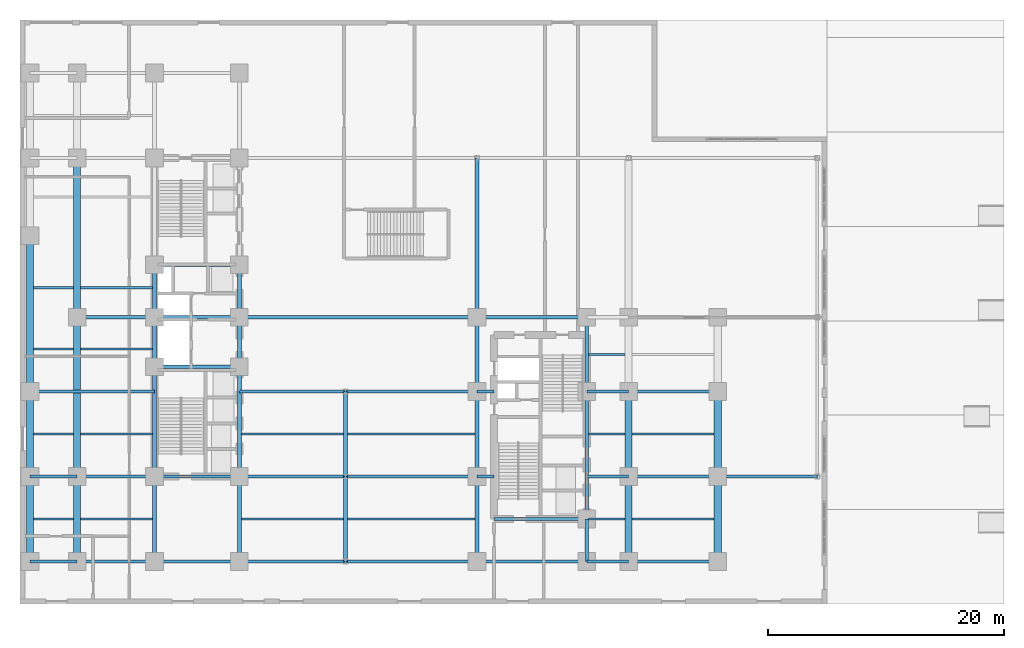
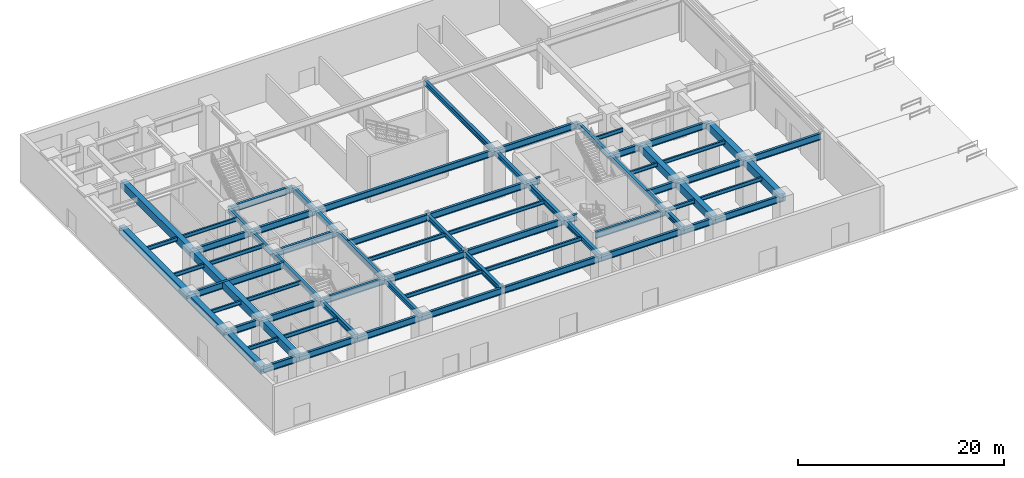
# One storey, part 3 of 18: 74 beams.
"""IFC4 building model written with IfcOpenShell, lengths in metres."""

from ifc_helpers import new_model, entity, si_unit, converted_unit, direction, frame, origin_with_axes, origin_2d_with_axis, place, context, subcontext, project, spatial, rectangle, i_section, extrude, material, material_profile, profile_set, type_object, element, save


model = new_model("IFC4")

# Units and contexts
model_context = context("Model", 3, precision=1e-05, world=origin_with_axes(), true_north=direction((0.0, 1.0)))
body_context = subcontext(model_context, "Body", "Model", "MODEL_VIEW")
ifc_project = project(units=[si_unit("LENGTHUNIT", "METRE"), si_unit("AREAUNIT", "SQUARE_METRE"), si_unit("VOLUMEUNIT", "CUBIC_METRE"), converted_unit("PLANEANGLEUNIT", "DEGREE", entity("IfcPlaneAngleMeasure", 0.017453292519943295), si_unit("PLANEANGLEUNIT", "RADIAN"), dimensions=[0, 0, 0, 0, 0, 0, 0]), si_unit("MASSUNIT", "GRAM", prefix="KILO"), si_unit("THERMODYNAMICTEMPERATUREUNIT", "KELVIN")], contexts=[model_context])

# Site, building, storey
site_placement = place(None, origin_with_axes())
site = spatial("IfcSite", under=ifc_project, at=site_placement, CompositionType="ELEMENT")
building_placement = place(site_placement, origin_with_axes())
building = spatial("IfcBuilding", under=site, at=building_placement, Name="Varnlund Millrace Tower", CompositionType="ELEMENT")
storey_placement = place(building_placement, origin_with_axes())
storey = spatial("IfcBuildingStorey", under=building, at=storey_placement, Name="L00", CompositionType="ELEMENT", Elevation=0.0)

# Beams
ifc_material_1 = material(Name="Steel ASTM A992 Grade 50", Category="steel")
ifc_material_profile_1 = material_profile(ifc_material_1, i_section(OverallWidth=0.328, OverallDepth=0.628, WebThickness=0.0165, FlangeThickness=0.0277, FilletRadius=0.018, at=origin_2d_with_axis()), Name="Steel ASTM A992 Grade 50")
ifc_profile_set_1 = profile_set([ifc_material_profile_1], Name="Steel ASTM A992 Grade 50")
beam_type_1 = type_object("IfcBeamType", Name="Type-Girder-W24X146", PredefinedType="USERDEFINED", material=ifc_profile_set_1)
beam_1_placement = place(storey_placement, frame((11.4, 3.6, 5.146), z_axis=(0.0, 1.0, 0.0), x_axis=(-1.0, 0.0, 0.0)))
element("IfcBeam", 1, at=beam_1_placement, inside=storey, type_object=beam_type_1, Name="Type-Girder-W24X146", ObjectType="GIRDER", PredefinedType="USERDEFINED", context=body_context, shape_type="SweptSolid", body=[
    extrude(i_section(OverallWidth=0.328, OverallDepth=0.628, WebThickness=0.0165, FlangeThickness=0.0277, FilletRadius=0.018, at=origin_2d_with_axis()), origin_with_axes(), (0.0, 0.0, 1.0), 7.2),
])
beam_2_placement = place(storey_placement, frame((11.4, 10.8, 5.146), z_axis=(0.0, 1.0, 0.0), x_axis=(-1.0, 0.0, 0.0)))
element("IfcBeam", 2, at=beam_2_placement, inside=storey, type_object=beam_type_1, Name="Type-Girder-W24X146", ObjectType="GIRDER", PredefinedType="USERDEFINED", context=body_context, shape_type="SweptSolid", body=[
    extrude(i_section(OverallWidth=0.328, OverallDepth=0.628, WebThickness=0.0165, FlangeThickness=0.0277, FilletRadius=0.018, at=origin_2d_with_axis()), origin_with_axes(), (0.0, 0.0, 1.0), 9.3),
])
beam_3_placement = place(storey_placement, frame((11.4, 20.1, 5.146), z_axis=(0.0, 1.0, 0.0), x_axis=(-1.0, 0.0, 0.0)))
element("IfcBeam", 3, at=beam_3_placement, inside=storey, type_object=beam_type_1, Name="Type-Girder-W24X146", ObjectType="GIRDER", PredefinedType="USERDEFINED", context=body_context, shape_type="SweptSolid", body=[
    extrude(i_section(OverallWidth=0.328, OverallDepth=0.628, WebThickness=0.0165, FlangeThickness=0.0277, FilletRadius=0.018, at=origin_2d_with_axis()), origin_with_axes(), (0.0, 0.0, 1.0), 4.2),
])
beam_4_placement = place(storey_placement, frame((11.4, 24.3, 5.146), z_axis=(0.0, 1.0, 0.0), x_axis=(-1.0, 0.0, 0.0)))
element("IfcBeam", 4, at=beam_4_placement, inside=storey, type_object=beam_type_1, Name="Type-Girder-W24X146", ObjectType="GIRDER", PredefinedType="USERDEFINED", context=body_context, shape_type="SweptSolid", body=[
    extrude(i_section(OverallWidth=0.328, OverallDepth=0.628, WebThickness=0.0165, FlangeThickness=0.0277, FilletRadius=0.018, at=origin_2d_with_axis()), origin_with_axes(), (0.0, 0.0, 1.0), 4.45),
])
beam_5_placement = place(storey_placement, frame((18.6, 3.6, 5.146), z_axis=(0.0, 1.0, 0.0), x_axis=(-1.0, 0.0, 0.0)))
element("IfcBeam", 5, at=beam_5_placement, inside=storey, type_object=beam_type_1, Name="Type-Girder-W24X146", ObjectType="GIRDER", PredefinedType="USERDEFINED", context=body_context, shape_type="SweptSolid", body=[
    extrude(i_section(OverallWidth=0.328, OverallDepth=0.628, WebThickness=0.0165, FlangeThickness=0.0277, FilletRadius=0.018, at=origin_2d_with_axis()), origin_with_axes(), (0.0, 0.0, 1.0), 7.2),
])
beam_6_placement = place(storey_placement, frame((18.6, 10.8, 5.146), z_axis=(0.0, 1.0, 0.0), x_axis=(-1.0, 0.0, 0.0)))
element("IfcBeam", 6, at=beam_6_placement, inside=storey, type_object=beam_type_1, Name="Type-Girder-W24X146", ObjectType="GIRDER", PredefinedType="USERDEFINED", context=body_context, shape_type="SweptSolid", body=[
    extrude(i_section(OverallWidth=0.328, OverallDepth=0.628, WebThickness=0.0165, FlangeThickness=0.0277, FilletRadius=0.018, at=origin_2d_with_axis()), origin_with_axes(), (0.0, 0.0, 1.0), 9.3),
])
beam_7_placement = place(storey_placement, frame((18.6, 20.1, 5.146), z_axis=(0.0, 1.0, 0.0), x_axis=(-1.0, 0.0, 0.0)))
element("IfcBeam", 7, at=beam_7_placement, inside=storey, type_object=beam_type_1, Name="Type-Girder-W24X146", ObjectType="GIRDER", PredefinedType="USERDEFINED", context=body_context, shape_type="SweptSolid", body=[
    extrude(i_section(OverallWidth=0.328, OverallDepth=0.628, WebThickness=0.0165, FlangeThickness=0.0277, FilletRadius=0.018, at=origin_2d_with_axis()), origin_with_axes(), (0.0, 0.0, 1.0), 4.2),
])
beam_8_placement = place(storey_placement, frame((18.6, 24.3, 5.146), z_axis=(0.0, 1.0, 0.0), x_axis=(-1.0, 0.0, 0.0)))
element("IfcBeam", 8, at=beam_8_placement, inside=storey, type_object=beam_type_1, Name="Type-Girder-W24X146", ObjectType="GIRDER", PredefinedType="USERDEFINED", context=body_context, shape_type="SweptSolid", body=[
    extrude(i_section(OverallWidth=0.328, OverallDepth=0.628, WebThickness=0.0165, FlangeThickness=0.0277, FilletRadius=0.018, at=origin_2d_with_axis()), origin_with_axes(), (0.0, 0.0, 1.0), 4.45),
])
for number, where, z_axis, x_axis, name in (
    (9, (27.6, 3.6, 5.146), (0.0, 1.0, 0.0), (-1.0, 0.0, 0.0), "Type-Girder-W24X146"),
    (10, (27.6, 10.8, 5.146), (0.0, 1.0, 0.0), (-1.0, 0.0, 0.0), "Type-Girder-W24X146"),
    (11, (38.75, 3.6, 5.146), (0.0, 1.0, 0.0), (-1.0, 0.0, 0.0), "Type-Girder-W24X146"),
    (12, (38.75, 10.8, 5.146), (0.0, 1.0, 0.0), (-1.0, 0.0, 0.0), "Type-Girder-W24X146"),
):
    element("IfcBeam", number, at=place(storey_placement, frame(where, z_axis=z_axis, x_axis=x_axis)), inside=storey, type_object=beam_type_1, Name=name, ObjectType="GIRDER", PredefinedType="USERDEFINED", context=body_context, shape_type="SweptSolid", body=[
        extrude(i_section(OverallWidth=0.328, OverallDepth=0.628, WebThickness=0.0165, FlangeThickness=0.0277, FilletRadius=0.018, at=origin_2d_with_axis()), origin_with_axes(), (0.0, 0.0, 1.0), 7.2),
    ])
beam_9_placement = place(storey_placement, frame((38.75, 18.0, 5.146), z_axis=(0.0, 1.0, 0.0), x_axis=(-1.0, 0.0, 0.0)))
element("IfcBeam", 13, at=beam_9_placement, inside=storey, type_object=beam_type_1, Name="Type-Girder-W24X146", ObjectType="GIRDER", PredefinedType="USERDEFINED", context=body_context, shape_type="SweptSolid", body=[
    extrude(i_section(OverallWidth=0.328, OverallDepth=0.628, WebThickness=0.0165, FlangeThickness=0.0277, FilletRadius=0.018, at=origin_2d_with_axis()), origin_with_axes(), (0.0, 0.0, 1.0), 6.3),
])
beam_10_placement = place(storey_placement, frame((38.75, 24.3, 5.146), z_axis=(0.0, 1.0, 0.0), x_axis=(-1.0, 0.0, 0.0)))
element("IfcBeam", 14, at=beam_10_placement, inside=storey, type_object=beam_type_1, Name="Type-Girder-W24X146", ObjectType="GIRDER", PredefinedType="USERDEFINED", context=body_context, shape_type="SweptSolid", body=[
    extrude(i_section(OverallWidth=0.328, OverallDepth=0.628, WebThickness=0.0165, FlangeThickness=0.0277, FilletRadius=0.018, at=origin_2d_with_axis()), origin_with_axes(), (0.0, 0.0, 1.0), 13.5),
])
beam_11_placement = place(storey_placement, frame((48.05, 3.6, 5.146), z_axis=(0.0, 1.0, 0.0), x_axis=(-1.0, 0.0, 0.0)))
element("IfcBeam", 15, at=beam_11_placement, inside=storey, type_object=beam_type_1, Name="Type-Girder-W24X146", ObjectType="GIRDER", PredefinedType="USERDEFINED", context=body_context, shape_type="SweptSolid", body=[
    extrude(i_section(OverallWidth=0.328, OverallDepth=0.628, WebThickness=0.0165, FlangeThickness=0.0277, FilletRadius=0.018, at=origin_2d_with_axis()), origin_with_axes(), (0.0, 0.0, 1.0), 3.6),
])
beam_12_placement = place(storey_placement, frame((48.05, 7.2, 5.146), z_axis=(0.0, 1.0, 0.0), x_axis=(-1.0, 0.0, 0.0)))
element("IfcBeam", 16, at=beam_12_placement, inside=storey, type_object=beam_type_1, Name="Type-Girder-W24X146", ObjectType="GIRDER", PredefinedType="USERDEFINED", context=body_context, shape_type="SweptSolid", body=[
    extrude(i_section(OverallWidth=0.328, OverallDepth=0.628, WebThickness=0.0165, FlangeThickness=0.0277, FilletRadius=0.018, at=origin_2d_with_axis()), origin_with_axes(), (0.0, 0.0, 1.0), 10.8),
])
beam_13_placement = place(storey_placement, frame((48.05, 18.0, 5.146), z_axis=(0.0, 1.0, 0.0), x_axis=(-1.0, 0.0, 0.0)))
element("IfcBeam", 17, at=beam_13_placement, inside=storey, type_object=beam_type_1, Name="Type-Girder-W24X146", ObjectType="GIRDER", PredefinedType="USERDEFINED", context=body_context, shape_type="SweptSolid", body=[
    extrude(i_section(OverallWidth=0.328, OverallDepth=0.628, WebThickness=0.0165, FlangeThickness=0.0277, FilletRadius=0.018, at=origin_2d_with_axis()), origin_with_axes(), (0.0, 0.0, 1.0), 6.3),
])
ifc_material_profile_2 = material_profile(ifc_material_1, i_section(OverallWidth=0.266, OverallDepth=0.779, WebThickness=0.0165, FlangeThickness=0.03, FilletRadius=0.02, at=origin_2d_with_axis()), Name="Steel ASTM A992 Grade 50")
ifc_profile_set_2 = profile_set([ifc_material_profile_2], Name="Steel ASTM A992 Grade 50")
beam_type_2 = type_object("IfcBeamType", Name="Type-Girder-W30X148", PredefinedType="USERDEFINED", material=ifc_profile_set_2)
beam_14_placement = place(storey_placement, frame((0.85, 3.6, 5.0705), z_axis=(1.0, 0.0, 0.0), x_axis=(0.0, 1.0, 0.0)))
element("IfcBeam", 18, at=beam_14_placement, inside=storey, type_object=beam_type_2, Name="Type-Girder-W30X148", ObjectType="GIRDER", PredefinedType="USERDEFINED", context=body_context, shape_type="SweptSolid", body=[
    extrude(i_section(OverallWidth=0.266, OverallDepth=0.779, WebThickness=0.0165, FlangeThickness=0.03, FilletRadius=0.02, at=origin_2d_with_axis()), origin_with_axes(), (0.0, 0.0, 1.0), 4.0),
])
beam_15_placement = place(storey_placement, frame((4.85, 3.6, 5.0705), z_axis=(1.0, 0.0, 0.0), x_axis=(0.0, 1.0, 0.0)))
element("IfcBeam", 19, at=beam_15_placement, inside=storey, type_object=beam_type_2, Name="Type-Girder-W30X148", ObjectType="GIRDER", PredefinedType="USERDEFINED", context=body_context, shape_type="SweptSolid", body=[
    extrude(i_section(OverallWidth=0.266, OverallDepth=0.779, WebThickness=0.0165, FlangeThickness=0.03, FilletRadius=0.02, at=origin_2d_with_axis()), origin_with_axes(), (0.0, 0.0, 1.0), 6.55),
])
beam_16_placement = place(storey_placement, frame((11.4, 3.6, 5.0705), z_axis=(1.0, 0.0, 0.0), x_axis=(0.0, 1.0, 0.0)))
element("IfcBeam", 20, at=beam_16_placement, inside=storey, type_object=beam_type_2, Name="Type-Girder-W30X148", ObjectType="GIRDER", PredefinedType="USERDEFINED", context=body_context, shape_type="SweptSolid", body=[
    extrude(i_section(OverallWidth=0.266, OverallDepth=0.779, WebThickness=0.0165, FlangeThickness=0.03, FilletRadius=0.02, at=origin_2d_with_axis()), origin_with_axes(), (0.0, 0.0, 1.0), 7.2),
])
beam_17_placement = place(storey_placement, frame((18.6, 3.6, 5.0705), z_axis=(1.0, 0.0, 0.0), x_axis=(0.0, 1.0, 0.0)))
element("IfcBeam", 21, at=beam_17_placement, inside=storey, type_object=beam_type_2, Name="Type-Girder-W30X148", ObjectType="GIRDER", PredefinedType="USERDEFINED", context=body_context, shape_type="SweptSolid", body=[
    extrude(i_section(OverallWidth=0.266, OverallDepth=0.779, WebThickness=0.0165, FlangeThickness=0.03, FilletRadius=0.02, at=origin_2d_with_axis()), origin_with_axes(), (0.0, 0.0, 1.0), 9.0),
])
beam_18_placement = place(storey_placement, frame((27.6, 3.6, 5.0705), z_axis=(1.0, 0.0, 0.0), x_axis=(0.0, 1.0, 0.0)))
element("IfcBeam", 22, at=beam_18_placement, inside=storey, type_object=beam_type_2, Name="Type-Girder-W30X148", ObjectType="GIRDER", PredefinedType="USERDEFINED", context=body_context, shape_type="SweptSolid", body=[
    extrude(i_section(OverallWidth=0.266, OverallDepth=0.779, WebThickness=0.0165, FlangeThickness=0.03, FilletRadius=0.02, at=origin_2d_with_axis()), origin_with_axes(), (0.0, 0.0, 1.0), 11.15),
])
beam_19_placement = place(storey_placement, frame((38.75, 3.6, 5.0705), z_axis=(1.0, 0.0, 0.0), x_axis=(0.0, 1.0, 0.0)))
element("IfcBeam", 23, at=beam_19_placement, inside=storey, type_object=beam_type_2, Name="Type-Girder-W30X148", ObjectType="GIRDER", PredefinedType="USERDEFINED", context=body_context, shape_type="SweptSolid", body=[
    extrude(i_section(OverallWidth=0.266, OverallDepth=0.779, WebThickness=0.0165, FlangeThickness=0.03, FilletRadius=0.02, at=origin_2d_with_axis()), origin_with_axes(), (0.0, 0.0, 1.0), 9.3),
])
beam_20_placement = place(storey_placement, frame((48.05, 3.6, 5.0705), z_axis=(1.0, 0.0, 0.0), x_axis=(0.0, 1.0, 0.0)))
element("IfcBeam", 24, at=beam_20_placement, inside=storey, type_object=beam_type_2, Name="Type-Girder-W30X148", ObjectType="GIRDER", PredefinedType="USERDEFINED", context=body_context, shape_type="SweptSolid", body=[
    extrude(i_section(OverallWidth=0.266, OverallDepth=0.779, WebThickness=0.0165, FlangeThickness=0.03, FilletRadius=0.02, at=origin_2d_with_axis()), origin_with_axes(), (0.0, 0.0, 1.0), 3.55),
])
beam_21_placement = place(storey_placement, frame((51.6, 3.6, 5.0705), z_axis=(1.0, 0.0, 0.0), x_axis=(0.0, 1.0, 0.0)))
element("IfcBeam", 25, at=beam_21_placement, inside=storey, type_object=beam_type_2, Name="Type-Girder-W30X148", ObjectType="GIRDER", PredefinedType="USERDEFINED", context=body_context, shape_type="SweptSolid", body=[
    extrude(i_section(OverallWidth=0.266, OverallDepth=0.779, WebThickness=0.0165, FlangeThickness=0.03, FilletRadius=0.02, at=origin_2d_with_axis()), origin_with_axes(), (0.0, 0.0, 1.0), 7.55),
])
beam_22_placement = place(storey_placement, frame((40.2, 7.2, 5.0705), z_axis=(1.0, 0.0, 0.0), x_axis=(0.0, 1.0, 0.0)))
element("IfcBeam", 26, at=beam_22_placement, inside=storey, type_object=beam_type_2, Name="Type-Girder-W30X148", ObjectType="GIRDER", PredefinedType="USERDEFINED", context=body_context, shape_type="SweptSolid", body=[
    extrude(i_section(OverallWidth=0.266, OverallDepth=0.779, WebThickness=0.0165, FlangeThickness=0.03, FilletRadius=0.02, at=origin_2d_with_axis()), origin_with_axes(), (0.0, 0.0, 1.0), 7.85),
])
beam_23_placement = place(storey_placement, frame((0.85, 10.8, 5.0705), z_axis=(1.0, 0.0, 0.0), x_axis=(0.0, 1.0, 0.0)))
element("IfcBeam", 27, at=beam_23_placement, inside=storey, type_object=beam_type_2, Name="Type-Girder-W30X148", ObjectType="GIRDER", PredefinedType="USERDEFINED", context=body_context, shape_type="SweptSolid", body=[
    extrude(i_section(OverallWidth=0.266, OverallDepth=0.779, WebThickness=0.0165, FlangeThickness=0.03, FilletRadius=0.02, at=origin_2d_with_axis()), origin_with_axes(), (0.0, 0.0, 1.0), 4.0),
])
beam_24_placement = place(storey_placement, frame((4.85, 10.8, 5.0705), z_axis=(1.0, 0.0, 0.0), x_axis=(0.0, 1.0, 0.0)))
element("IfcBeam", 28, at=beam_24_placement, inside=storey, type_object=beam_type_2, Name="Type-Girder-W30X148", ObjectType="GIRDER", PredefinedType="USERDEFINED", context=body_context, shape_type="SweptSolid", body=[
    extrude(i_section(OverallWidth=0.266, OverallDepth=0.779, WebThickness=0.0165, FlangeThickness=0.03, FilletRadius=0.02, at=origin_2d_with_axis()), origin_with_axes(), (0.0, 0.0, 1.0), 6.55),
])
beam_25_placement = place(storey_placement, frame((11.4, 10.8, 5.0705), z_axis=(1.0, 0.0, 0.0), x_axis=(0.0, 1.0, 0.0)))
element("IfcBeam", 29, at=beam_25_placement, inside=storey, type_object=beam_type_2, Name="Type-Girder-W30X148", ObjectType="GIRDER", PredefinedType="USERDEFINED", context=body_context, shape_type="SweptSolid", body=[
    extrude(i_section(OverallWidth=0.266, OverallDepth=0.779, WebThickness=0.0165, FlangeThickness=0.03, FilletRadius=0.02, at=origin_2d_with_axis()), origin_with_axes(), (0.0, 0.0, 1.0), 7.2),
])
beam_26_placement = place(storey_placement, frame((18.6, 10.8, 5.0705), z_axis=(1.0, 0.0, 0.0), x_axis=(0.0, 1.0, 0.0)))
element("IfcBeam", 30, at=beam_26_placement, inside=storey, type_object=beam_type_2, Name="Type-Girder-W30X148", ObjectType="GIRDER", PredefinedType="USERDEFINED", context=body_context, shape_type="SweptSolid", body=[
    extrude(i_section(OverallWidth=0.266, OverallDepth=0.779, WebThickness=0.0165, FlangeThickness=0.03, FilletRadius=0.02, at=origin_2d_with_axis()), origin_with_axes(), (0.0, 0.0, 1.0), 9.0),
])
beam_27_placement = place(storey_placement, frame((27.6, 10.8, 5.0705), z_axis=(1.0, 0.0, 0.0), x_axis=(0.0, 1.0, 0.0)))
element("IfcBeam", 31, at=beam_27_placement, inside=storey, type_object=beam_type_2, Name="Type-Girder-W30X148", ObjectType="GIRDER", PredefinedType="USERDEFINED", context=body_context, shape_type="SweptSolid", body=[
    extrude(i_section(OverallWidth=0.266, OverallDepth=0.779, WebThickness=0.0165, FlangeThickness=0.03, FilletRadius=0.02, at=origin_2d_with_axis()), origin_with_axes(), (0.0, 0.0, 1.0), 11.15),
])
beam_28_placement = place(storey_placement, frame((38.75, 10.8, 5.0705), z_axis=(1.0, 0.0, 0.0), x_axis=(0.0, 1.0, 0.0)))
element("IfcBeam", 32, at=beam_28_placement, inside=storey, type_object=beam_type_2, Name="Type-Girder-W30X148", ObjectType="GIRDER", PredefinedType="USERDEFINED", context=body_context, shape_type="SweptSolid", body=[
    extrude(i_section(OverallWidth=0.266, OverallDepth=0.779, WebThickness=0.0165, FlangeThickness=0.03, FilletRadius=0.02, at=origin_2d_with_axis()), origin_with_axes(), (0.0, 0.0, 1.0), 1.45),
])
beam_29_placement = place(storey_placement, frame((48.05, 10.8, 5.0705), z_axis=(1.0, 0.0, 0.0), x_axis=(0.0, 1.0, 0.0)))
element("IfcBeam", 33, at=beam_29_placement, inside=storey, type_object=beam_type_2, Name="Type-Girder-W30X148", ObjectType="GIRDER", PredefinedType="USERDEFINED", context=body_context, shape_type="SweptSolid", body=[
    extrude(i_section(OverallWidth=0.266, OverallDepth=0.779, WebThickness=0.0165, FlangeThickness=0.03, FilletRadius=0.02, at=origin_2d_with_axis()), origin_with_axes(), (0.0, 0.0, 1.0), 3.55),
])
beam_30_placement = place(storey_placement, frame((51.6, 10.8, 5.0705), z_axis=(1.0, 0.0, 0.0), x_axis=(0.0, 1.0, 0.0)))
element("IfcBeam", 34, at=beam_30_placement, inside=storey, type_object=beam_type_2, Name="Type-Girder-W30X148", ObjectType="GIRDER", PredefinedType="USERDEFINED", context=body_context, shape_type="SweptSolid", body=[
    extrude(i_section(OverallWidth=0.266, OverallDepth=0.779, WebThickness=0.0165, FlangeThickness=0.03, FilletRadius=0.02, at=origin_2d_with_axis()), origin_with_axes(), (0.0, 0.0, 1.0), 7.55),
])
beam_31_placement = place(storey_placement, frame((59.15, 10.8, 5.0705), z_axis=(1.0, 0.0, 0.0), x_axis=(0.0, 1.0, 0.0)))
element("IfcBeam", 35, at=beam_31_placement, inside=storey, type_object=beam_type_2, Name="Type-Girder-W30X148", ObjectType="GIRDER", PredefinedType="USERDEFINED", context=body_context, shape_type="SweptSolid", body=[
    extrude(i_section(OverallWidth=0.266, OverallDepth=0.779, WebThickness=0.0165, FlangeThickness=0.03, FilletRadius=0.02, at=origin_2d_with_axis()), origin_with_axes(), (0.0, 0.0, 1.0), 8.45),
])
beam_32_placement = place(storey_placement, frame((0.85, 18.0, 5.0705), z_axis=(1.0, 0.0, 0.0), x_axis=(0.0, 1.0, 0.0)))
element("IfcBeam", 36, at=beam_32_placement, inside=storey, type_object=beam_type_2, Name="Type-Girder-W30X148", ObjectType="GIRDER", PredefinedType="USERDEFINED", context=body_context, shape_type="SweptSolid", body=[
    extrude(i_section(OverallWidth=0.266, OverallDepth=0.779, WebThickness=0.0165, FlangeThickness=0.03, FilletRadius=0.02, at=origin_2d_with_axis()), origin_with_axes(), (0.0, 0.0, 1.0), 10.55),
])
beam_33_placement = place(storey_placement, frame((18.6, 18.0, 5.0705), z_axis=(1.0, 0.0, 0.0), x_axis=(0.0, 1.0, 0.0)))
element("IfcBeam", 37, at=beam_33_placement, inside=storey, type_object=beam_type_2, Name="Type-Girder-W30X148", ObjectType="GIRDER", PredefinedType="USERDEFINED", context=body_context, shape_type="SweptSolid", body=[
    extrude(i_section(OverallWidth=0.266, OverallDepth=0.779, WebThickness=0.0165, FlangeThickness=0.03, FilletRadius=0.02, at=origin_2d_with_axis()), origin_with_axes(), (0.0, 0.0, 1.0), 9.0),
])
beam_34_placement = place(storey_placement, frame((27.6, 18.0, 5.0705), z_axis=(1.0, 0.0, 0.0), x_axis=(0.0, 1.0, 0.0)))
element("IfcBeam", 38, at=beam_34_placement, inside=storey, type_object=beam_type_2, Name="Type-Girder-W30X148", ObjectType="GIRDER", PredefinedType="USERDEFINED", context=body_context, shape_type="SweptSolid", body=[
    extrude(i_section(OverallWidth=0.266, OverallDepth=0.779, WebThickness=0.0165, FlangeThickness=0.03, FilletRadius=0.02, at=origin_2d_with_axis()), origin_with_axes(), (0.0, 0.0, 1.0), 11.15),
])
beam_35_placement = place(storey_placement, frame((38.75, 18.0, 5.0705), z_axis=(1.0, 0.0, 0.0), x_axis=(0.0, 1.0, 0.0)))
element("IfcBeam", 39, at=beam_35_placement, inside=storey, type_object=beam_type_2, Name="Type-Girder-W30X148", ObjectType="GIRDER", PredefinedType="USERDEFINED", context=body_context, shape_type="SweptSolid", body=[
    extrude(i_section(OverallWidth=0.266, OverallDepth=0.779, WebThickness=0.0165, FlangeThickness=0.03, FilletRadius=0.02, at=origin_2d_with_axis()), origin_with_axes(), (0.0, 0.0, 1.0), 1.45),
])
beam_36_placement = place(storey_placement, frame((48.05, 18.0, 5.0705), z_axis=(1.0, 0.0, 0.0), x_axis=(0.0, 1.0, 0.0)))
element("IfcBeam", 40, at=beam_36_placement, inside=storey, type_object=beam_type_2, Name="Type-Girder-W30X148", ObjectType="GIRDER", PredefinedType="USERDEFINED", context=body_context, shape_type="SweptSolid", body=[
    extrude(i_section(OverallWidth=0.266, OverallDepth=0.779, WebThickness=0.0165, FlangeThickness=0.03, FilletRadius=0.02, at=origin_2d_with_axis()), origin_with_axes(), (0.0, 0.0, 1.0), 3.55),
])
beam_37_placement = place(storey_placement, frame((51.6, 18.0, 5.0705), z_axis=(1.0, 0.0, 0.0), x_axis=(0.0, 1.0, 0.0)))
element("IfcBeam", 41, at=beam_37_placement, inside=storey, type_object=beam_type_2, Name="Type-Girder-W30X148", ObjectType="GIRDER", PredefinedType="USERDEFINED", context=body_context, shape_type="SweptSolid", body=[
    extrude(i_section(OverallWidth=0.266, OverallDepth=0.779, WebThickness=0.0165, FlangeThickness=0.03, FilletRadius=0.02, at=origin_2d_with_axis()), origin_with_axes(), (0.0, 0.0, 1.0), 7.55),
])
beam_38_placement = place(storey_placement, frame((11.4, 20.1, 5.0705), z_axis=(1.0, 0.0, 0.0), x_axis=(0.0, 1.0, 0.0)))
element("IfcBeam", 42, at=beam_38_placement, inside=storey, type_object=beam_type_2, Name="Type-Girder-W30X148", ObjectType="GIRDER", PredefinedType="USERDEFINED", context=body_context, shape_type="SweptSolid", body=[
    extrude(i_section(OverallWidth=0.266, OverallDepth=0.779, WebThickness=0.0165, FlangeThickness=0.03, FilletRadius=0.02, at=origin_2d_with_axis()), origin_with_axes(), (0.0, 0.0, 1.0), 7.2),
])
beam_39_placement = place(storey_placement, frame((4.85, 24.3, 5.0705), z_axis=(1.0, 0.0, 0.0), x_axis=(0.0, 1.0, 0.0)))
element("IfcBeam", 43, at=beam_39_placement, inside=storey, type_object=beam_type_2, Name="Type-Girder-W30X148", ObjectType="GIRDER", PredefinedType="USERDEFINED", context=body_context, shape_type="SweptSolid", body=[
    extrude(i_section(OverallWidth=0.266, OverallDepth=0.779, WebThickness=0.0165, FlangeThickness=0.03, FilletRadius=0.02, at=origin_2d_with_axis()), origin_with_axes(), (0.0, 0.0, 1.0), 6.55),
])
beam_40_placement = place(storey_placement, frame((11.4, 24.3, 5.0705), z_axis=(1.0, 0.0, 0.0), x_axis=(0.0, 1.0, 0.0)))
element("IfcBeam", 44, at=beam_40_placement, inside=storey, type_object=beam_type_2, Name="Type-Girder-W30X148", ObjectType="GIRDER", PredefinedType="USERDEFINED", context=body_context, shape_type="SweptSolid", body=[
    extrude(i_section(OverallWidth=0.266, OverallDepth=0.779, WebThickness=0.0165, FlangeThickness=0.03, FilletRadius=0.02, at=origin_2d_with_axis()), origin_with_axes(), (0.0, 0.0, 1.0), 7.2),
])
beam_41_placement = place(storey_placement, frame((18.6, 24.3, 5.0705), z_axis=(1.0, 0.0, 0.0), x_axis=(0.0, 1.0, 0.0)))
element("IfcBeam", 45, at=beam_41_placement, inside=storey, type_object=beam_type_2, Name="Type-Girder-W30X148", ObjectType="GIRDER", PredefinedType="USERDEFINED", context=body_context, shape_type="SweptSolid", body=[
    extrude(i_section(OverallWidth=0.266, OverallDepth=0.779, WebThickness=0.0165, FlangeThickness=0.03, FilletRadius=0.02, at=origin_2d_with_axis()), origin_with_axes(), (0.0, 0.0, 1.0), 20.15),
])
beam_42_placement = place(storey_placement, frame((38.75, 24.3, 5.0705), z_axis=(1.0, 0.0, 0.0), x_axis=(0.0, 1.0, 0.0)))
element("IfcBeam", 46, at=beam_42_placement, inside=storey, type_object=beam_type_2, Name="Type-Girder-W30X148", ObjectType="GIRDER", PredefinedType="USERDEFINED", context=body_context, shape_type="SweptSolid", body=[
    extrude(i_section(OverallWidth=0.266, OverallDepth=0.779, WebThickness=0.0165, FlangeThickness=0.03, FilletRadius=0.02, at=origin_2d_with_axis()), origin_with_axes(), (0.0, 0.0, 1.0), 9.3),
])
beam_43_placement = place(storey_placement, frame((11.4, 28.75, 5.0705), z_axis=(1.0, 0.0, 0.0), x_axis=(0.0, 1.0, 0.0)))
element("IfcBeam", 47, at=beam_43_placement, inside=storey, type_object=beam_type_2, Name="Type-Girder-W30X148", ObjectType="GIRDER", PredefinedType="USERDEFINED", context=body_context, shape_type="SweptSolid", body=[
    extrude(i_section(OverallWidth=0.266, OverallDepth=0.779, WebThickness=0.0165, FlangeThickness=0.03, FilletRadius=0.02, at=origin_2d_with_axis()), origin_with_axes(), (0.0, 0.0, 1.0), 7.2),
])
ifc_material_profile_3 = material_profile(ifc_material_1, i_section(OverallWidth=0.191, OverallDepth=0.457, WebThickness=0.009, FlangeThickness=0.0145, FilletRadius=0.013, at=origin_2d_with_axis()), Name="Steel ASTM A992 Grade 50")
ifc_profile_set_3 = profile_set([ifc_material_profile_3], Name="Steel ASTM A992 Grade 50")
beam_type_3 = type_object("IfcBeamType", Name="Type-Joist-W18X50", PredefinedType="JOIST", material=ifc_profile_set_3)
for number, where, z_axis, x_axis, name in (
    (48, (1.15, 7.2, 5.2315), (1.0, 0.0, 0.0), (0.0, 1.0, 0.0), "Type-Joist-W18X50"),
    (49, (1.15, 14.4, 5.2315), (1.0, 0.0, 0.0), (0.0, 1.0, 0.0), "Type-Joist-W18X50"),
    (50, (1.15, 21.6, 5.2315), (1.0, 0.0, 0.0), (0.0, 1.0, 0.0), "Type-Joist-W18X50"),
    (51, (1.15, 26.8, 5.2315), (1.0, 0.0, 0.0), (0.0, 1.0, 0.0), "Type-Joist-W18X50"),
):
    element("IfcBeam", number, at=place(storey_placement, frame(where, z_axis=z_axis, x_axis=x_axis)), inside=storey, type_object=beam_type_3, Name=name, PredefinedType="JOIST", context=body_context, shape_type="SweptSolid", body=[
        extrude(i_section(OverallWidth=0.191, OverallDepth=0.457, WebThickness=0.009, FlangeThickness=0.0145, FilletRadius=0.013, at=origin_2d_with_axis()), origin_with_axes(), (0.0, 0.0, 1.0), 3.4),
    ])
for number, where, z_axis, x_axis, name in (
    (52, (5.15, 7.2, 5.2315), (1.0, 0.0, 0.0), (0.0, 1.0, 0.0), "Type-Joist-W18X50"),
    (53, (5.15, 14.4, 5.2315), (1.0, 0.0, 0.0), (0.0, 1.0, 0.0), "Type-Joist-W18X50"),
    (54, (5.15, 21.6, 5.2315), (1.0, 0.0, 0.0), (0.0, 1.0, 0.0), "Type-Joist-W18X50"),
    (55, (5.15, 26.8, 5.2315), (1.0, 0.0, 0.0), (0.0, 1.0, 0.0), "Type-Joist-W18X50"),
):
    element("IfcBeam", number, at=place(storey_placement, frame(where, z_axis=z_axis, x_axis=x_axis)), inside=storey, type_object=beam_type_3, Name=name, PredefinedType="JOIST", context=body_context, shape_type="SweptSolid", body=[
        extrude(i_section(OverallWidth=0.191, OverallDepth=0.457, WebThickness=0.009, FlangeThickness=0.0145, FilletRadius=0.013, at=origin_2d_with_axis()), origin_with_axes(), (0.0, 0.0, 1.0), 6.086),
    ])
for number, where, z_axis, x_axis, name in (
    (56, (48.214, 7.2, 5.2315), (1.0, 0.0, 0.0), (0.0, 1.0, 0.0), "Type-Joist-W18X50"),
    (57, (48.214, 14.4, 5.2315), (1.0, 0.0, 0.0), (0.0, 1.0, 0.0), "Type-Joist-W18X50"),
    (58, (48.214, 21.15, 5.2315), (1.0, 0.0, 0.0), (0.0, 1.0, 0.0), "Type-Joist-W18X50"),
):
    element("IfcBeam", number, at=place(storey_placement, frame(where, z_axis=z_axis, x_axis=x_axis)), inside=storey, type_object=beam_type_3, Name=name, PredefinedType="JOIST", context=body_context, shape_type="SweptSolid", body=[
        extrude(i_section(OverallWidth=0.191, OverallDepth=0.457, WebThickness=0.009, FlangeThickness=0.0145, FilletRadius=0.013, at=origin_2d_with_axis()), origin_with_axes(), (0.0, 0.0, 1.0), 3.086),
    ])
for number, where, z_axis, x_axis, name in (
    (59, (51.9, 7.2, 5.2315), (1.0, 0.0, 0.0), (0.0, 1.0, 0.0), "Type-Joist-W18X50"),
    (60, (51.9, 14.4, 5.2315), (1.0, 0.0, 0.0), (0.0, 1.0, 0.0), "Type-Joist-W18X50"),
):
    element("IfcBeam", number, at=place(storey_placement, frame(where, z_axis=z_axis, x_axis=x_axis)), inside=storey, type_object=beam_type_3, Name=name, PredefinedType="JOIST", context=body_context, shape_type="SweptSolid", body=[
        extrude(i_section(OverallWidth=0.191, OverallDepth=0.457, WebThickness=0.009, FlangeThickness=0.0145, FilletRadius=0.013, at=origin_2d_with_axis()), origin_with_axes(), (0.0, 0.0, 1.0), 6.95),
    ])
for number, where, z_axis, x_axis, name in (
    (61, (18.764, 7.2, 5.2315), (1.0, 0.0, 0.0), (0.0, 1.0, 0.0), "Type-Joist-W18X50"),
    (62, (18.764, 14.4, 5.2315), (1.0, 0.0, 0.0), (0.0, 1.0, 0.0), "Type-Joist-W18X50"),
):
    element("IfcBeam", number, at=place(storey_placement, frame(where, z_axis=z_axis, x_axis=x_axis)), inside=storey, type_object=beam_type_3, Name=name, PredefinedType="JOIST", context=body_context, shape_type="SweptSolid", body=[
        extrude(i_section(OverallWidth=0.191, OverallDepth=0.457, WebThickness=0.009, FlangeThickness=0.0145, FilletRadius=0.013, at=origin_2d_with_axis()), origin_with_axes(), (0.0, 0.0, 1.0), 8.672),
    ])
for number, where, z_axis, x_axis, name in (
    (63, (27.764, 7.2, 5.2315), (1.0, 0.0, 0.0), (0.0, 1.0, 0.0), "Type-Joist-W18X50"),
    (64, (27.764, 14.4, 5.2315), (1.0, 0.0, 0.0), (0.0, 1.0, 0.0), "Type-Joist-W18X50"),
):
    element("IfcBeam", number, at=place(storey_placement, frame(where, z_axis=z_axis, x_axis=x_axis)), inside=storey, type_object=beam_type_3, Name=name, PredefinedType="JOIST", context=body_context, shape_type="SweptSolid", body=[
        extrude(i_section(OverallWidth=0.191, OverallDepth=0.457, WebThickness=0.009, FlangeThickness=0.0145, FilletRadius=0.013, at=origin_2d_with_axis()), origin_with_axes(), (0.0, 0.0, 1.0), 10.822),
    ])
ifc_material_2 = material(Name="Concrete C70/85", Category="concrete")
ifc_material_profile_4 = material_profile(ifc_material_2, rectangle(XDim=0.6, YDim=0.9, at=origin_2d_with_axis()), Name="Concrete C70/85")
ifc_profile_set_4 = profile_set([ifc_material_profile_4], Name="Concrete C70/85")
beam_type_4 = type_object("IfcBeamType", Name="Type-Spandrel-RC600X900", PredefinedType="SPANDREL", material=ifc_profile_set_4)
for number, where, z_axis, x_axis, name in (
    (65, (0.85, 3.6, 5.01), (0.0, 1.0, 0.0), (-1.0, 0.0, 0.0), "Type-Spandrel-RC600X900"),
    (66, (0.85, 10.8, 5.01), (0.0, 1.0, 0.0), (-1.0, 0.0, 0.0), "Type-Spandrel-RC600X900"),
):
    element("IfcBeam", number, at=place(storey_placement, frame(where, z_axis=z_axis, x_axis=x_axis)), inside=storey, type_object=beam_type_4, Name=name, PredefinedType="SPANDREL", context=body_context, shape_type="SweptSolid", body=[
        extrude(rectangle(XDim=0.6, YDim=0.9, at=origin_2d_with_axis()), origin_with_axes(), (0.0, 0.0, 1.0), 7.2),
    ])
beam_44_placement = place(storey_placement, frame((0.85, 18.0, 5.01), z_axis=(0.0, 1.0, 0.0), x_axis=(-1.0, 0.0, 0.0)))
element("IfcBeam", 67, at=beam_44_placement, inside=storey, type_object=beam_type_4, Name="Type-Spandrel-RC600X900", PredefinedType="SPANDREL", context=body_context, shape_type="SweptSolid", body=[
    extrude(rectangle(XDim=0.6, YDim=0.9, at=origin_2d_with_axis()), origin_with_axes(), (0.0, 0.0, 1.0), 13.2),
])
beam_45_placement = place(storey_placement, frame((4.85, 3.6, 5.01), z_axis=(0.0, 1.0, 0.0), x_axis=(-1.0, 0.0, 0.0)))
element("IfcBeam", 68, at=beam_45_placement, inside=storey, type_object=beam_type_4, Name="Type-Spandrel-RC600X900", PredefinedType="SPANDREL", context=body_context, shape_type="SweptSolid", body=[
    extrude(rectangle(XDim=0.6, YDim=0.9, at=origin_2d_with_axis()), origin_with_axes(), (0.0, 0.0, 1.0), 7.2),
])
for number, where, z_axis, x_axis, name in (
    (69, (4.85, 10.8, 5.01), (0.0, 1.0, 0.0), (-1.0, 0.0, 0.0), "Type-Spandrel-RC600X900"),
    (70, (4.85, 24.3, 5.01), (0.0, 1.0, 0.0), (-1.0, 0.0, 0.0), "Type-Spandrel-RC600X900"),
):
    element("IfcBeam", number, at=place(storey_placement, frame(where, z_axis=z_axis, x_axis=x_axis)), inside=storey, type_object=beam_type_4, Name=name, PredefinedType="SPANDREL", context=body_context, shape_type="SweptSolid", body=[
        extrude(rectangle(XDim=0.6, YDim=0.9, at=origin_2d_with_axis()), origin_with_axes(), (0.0, 0.0, 1.0), 13.5),
    ])
for number, where, z_axis, x_axis, name in (
    (71, (51.6, 3.6, 5.01), (0.0, 1.0, 0.0), (-1.0, 0.0, 0.0), "Type-Spandrel-RC600X900"),
    (72, (51.6, 10.8, 5.01), (0.0, 1.0, 0.0), (-1.0, 0.0, 0.0), "Type-Spandrel-RC600X900"),
    (73, (59.15, 3.6, 5.01), (0.0, 1.0, 0.0), (-1.0, 0.0, 0.0), "Type-Spandrel-RC600X900"),
    (74, (59.15, 10.8, 5.01), (0.0, 1.0, 0.0), (-1.0, 0.0, 0.0), "Type-Spandrel-RC600X900"),
):
    element("IfcBeam", number, at=place(storey_placement, frame(where, z_axis=z_axis, x_axis=x_axis)), inside=storey, type_object=beam_type_4, Name=name, PredefinedType="SPANDREL", context=body_context, shape_type="SweptSolid", body=[
        extrude(rectangle(XDim=0.6, YDim=0.9, at=origin_2d_with_axis()), origin_with_axes(), (0.0, 0.0, 1.0), 7.2),
    ])

save(model, "model.ifc")
